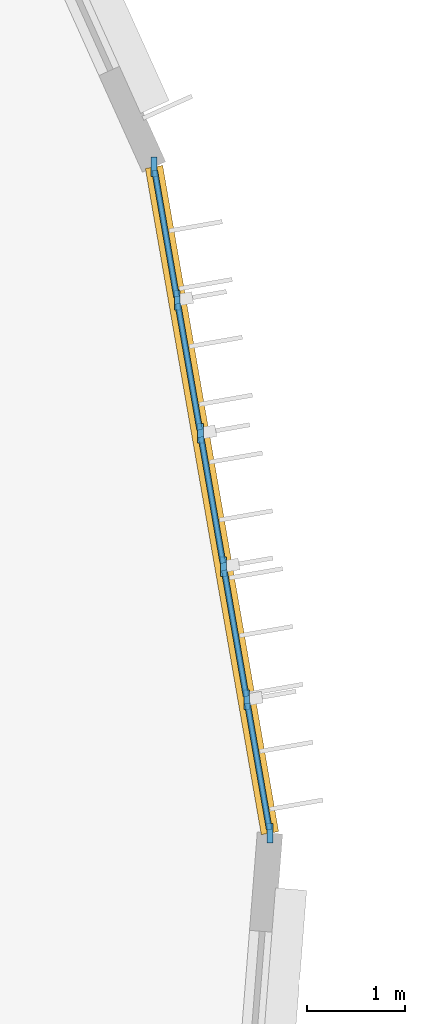
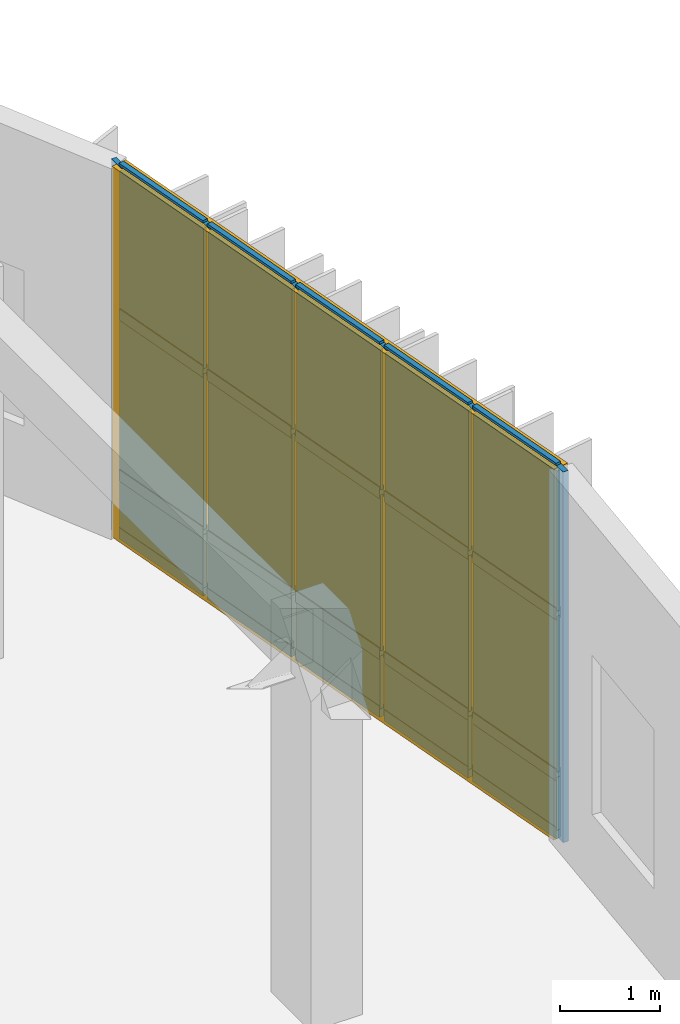
# One storey, part 101 of 122: 26 members, 15 plates, 1 curtain wall.
"""IFC4 building model written with IfcOpenShell, lengths in metres."""

from ifc_helpers import new_model, si_unit, direction, frame, frame_2d, origin, origin_2d, place, context, subcontext, project, spatial, rectangle, extrude, material, layer, layer_set, material_profile, profile_set, type_object, element, aggregate, save


model = new_model("IFC4")

# Units and contexts
model_context = context("Model", 3, precision=1e-05, world=origin(), true_north=direction((0.0, 1.0)))
body_context = subcontext(model_context, "Body", "Model", "MODEL_VIEW")
ifc_project = project(units=[si_unit("LENGTHUNIT", "METRE"), si_unit("AREAUNIT", "SQUARE_METRE"), si_unit("VOLUMEUNIT", "CUBIC_METRE"), si_unit("PLANEANGLEUNIT", "RADIAN"), si_unit("MASSUNIT", "GRAM", prefix="KILO")], contexts=[model_context])

# Member
ifc_material_1 = material(Name="Anodised Bronze Aluminium 6063-T6", Category="aluminium")
ifc_material_profile_1 = material_profile(ifc_material_1, rectangle(XDim=0.06005859375, YDim=0.199951171875, at=origin_2d()), Name="ALU MULLION 60x200")
ifc_profile_set_1 = profile_set([ifc_material_profile_1], Name="Anodised Bronze Aluminium 6063-T6")
member_type_1 = type_object("IfcMemberType", Name="Curtain-Wall Standard Mullion 60x200", PredefinedType="MULLION", material=ifc_profile_set_1)
site_placement = place(None, origin())
building_placement = place(site_placement, origin())
storey_placement = place(building_placement, origin())
member_1_placement = place(storey_placement, frame((162.56982421875, 45.8916015625, 0.0), z_axis=(0.0, 0.0, 1.0), x_axis=(1.0, 0.0, 0.0)))
member_1 = element("IfcMember", 1, at=member_1_placement, type_object=member_type_1, Name="Mullion CWM-03 CW-V4-DRUM-L00-S09-M01", PredefinedType="MULLION", context=body_context, shape_type="SweptSolid", body=[
    extrude(rectangle(XDim=0.06005859375, YDim=0.199951171875, at=origin_2d()), origin(), (0.0, 0.0, 1.0), 4.5400390625),
])

member_2_placement = place(storey_placement, frame((162.332763671875, 47.25341796875, 0.0), z_axis=(0.0, 0.0, 1.0), x_axis=(1.0, 0.0, 0.0)))
member_2 = element("IfcMember", 2, at=member_2_placement, type_object=member_type_1, Name="Mullion CWM-03 CW-V4-DRUM-L00-S09-M02", PredefinedType="MULLION", context=body_context, shape_type="SweptSolid", body=[
    extrude(rectangle(XDim=0.06005859375, YDim=0.199951171875, at=origin_2d()), origin(), (0.0, 0.0, 1.0), 4.5400390625),
])

member_3_placement = place(storey_placement, frame((162.095703125, 48.614990234375, 0.0), z_axis=(0.0, 0.0, 1.0), x_axis=(1.0, 0.0, 0.0)))
member_3 = element("IfcMember", 3, at=member_3_placement, type_object=member_type_1, Name="Mullion CWM-03 CW-V4-DRUM-L00-S09-M03", PredefinedType="MULLION", context=body_context, shape_type="SweptSolid", body=[
    extrude(rectangle(XDim=0.06005859375, YDim=0.199951171875, at=origin_2d()), origin(), (0.0, 0.0, 1.0), 4.5400390625),
])

member_4_placement = place(storey_placement, frame((161.858642578125, 49.9765625, 0.0), z_axis=(0.0, 0.0, 1.0), x_axis=(1.0, 0.0, 0.0)))
member_4 = element("IfcMember", 4, at=member_4_placement, type_object=member_type_1, Name="Mullion CWM-03 CW-V4-DRUM-L00-S09-M04", PredefinedType="MULLION", context=body_context, shape_type="SweptSolid", body=[
    extrude(rectangle(XDim=0.06005859375, YDim=0.199951171875, at=origin_2d()), origin(), (0.0, 0.0, 1.0), 4.5400390625),
])

member_5_placement = place(storey_placement, frame((161.62158203125, 51.338134765625, 0.0), z_axis=(0.0, 0.0, 1.0), x_axis=(1.0, 0.0, 0.0)))
member_5 = element("IfcMember", 5, at=member_5_placement, type_object=member_type_1, Name="Mullion CWM-03 CW-V4-DRUM-L00-S09-M05", PredefinedType="MULLION", context=body_context, shape_type="SweptSolid", body=[
    extrude(rectangle(XDim=0.06005859375, YDim=0.199951171875, at=origin_2d()), origin(), (0.0, 0.0, 1.0), 4.5400390625),
])

member_6_placement = place(storey_placement, frame((161.384765625, 52.69970703125, 0.0), z_axis=(0.0, 0.0, 1.0), x_axis=(1.0, 0.0, 0.0)))
member_6 = element("IfcMember", 6, at=member_6_placement, type_object=member_type_1, Name="Mullion CWM-03 CW-V4-DRUM-L00-S09-M06", PredefinedType="MULLION", context=body_context, shape_type="SweptSolid", body=[
    extrude(rectangle(XDim=0.06005859375, YDim=0.199951171875, at=origin_2d()), origin(), (0.0, 0.0, 1.0), 4.5400390625),
])

ifc_material_profile_2 = material_profile(ifc_material_1, rectangle(XDim=0.06005859375, YDim=0.139892578125, at=origin_2d()), Name="ALU TRANSOM 60x140")
ifc_profile_set_2 = profile_set([ifc_material_profile_2], Name="Anodised Bronze Aluminium 6063-T6")
member_type_2 = type_object("IfcMemberType", Name="Curtain-Wall Transom 60x140", PredefinedType="USERDEFINED", material=ifc_profile_set_2)
member_7_placement = place(storey_placement, frame((162.563720703125, 45.92626953125, 0.0400390625), z_axis=(-0.171396150189, 0.985202192294, 0.0), x_axis=(-0.985202192294, -0.171396150189, 0.0)))
member_7 = element("IfcMember", 7, at=member_7_placement, type_object=member_type_2, Name="Transom CWT-01 CW-V4-DRUM-L00-S09-T01.1", ObjectType="TRANSOM", PredefinedType="USERDEFINED", context=body_context, shape_type="SweptSolid", body=[
    extrude(rectangle(XDim=0.06005859375, YDim=0.139892578125, at=origin_2d()), origin(), (0.0, 0.0, 1.0), 1.31201171875),
])

member_8_placement = place(storey_placement, frame((162.563720703125, 45.92626953125, 0.75), z_axis=(-0.171396150189, 0.985202192294, 0.0), x_axis=(-0.985202192294, -0.171396150189, 0.0)))
member_8 = element("IfcMember", 8, at=member_8_placement, type_object=member_type_2, Name="Transom CWT-01 CW-V4-DRUM-L00-S09-T01.2", ObjectType="TRANSOM", PredefinedType="USERDEFINED", context=body_context, shape_type="SweptSolid", body=[
    extrude(rectangle(XDim=0.06005859375, YDim=0.139892578125, at=origin_2d()), origin(), (0.0, 0.0, 1.0), 1.31201171875),
])

member_9_placement = place(storey_placement, frame((162.563720703125, 45.92626953125, 2.720703125), z_axis=(-0.171396150189, 0.985202192294, 0.0), x_axis=(-0.985202192294, -0.171396150189, 0.0)))
member_9 = element("IfcMember", 9, at=member_9_placement, type_object=member_type_2, Name="Transom CWT-01 CW-V4-DRUM-L00-S09-T01.3", ObjectType="TRANSOM", PredefinedType="USERDEFINED", context=body_context, shape_type="SweptSolid", body=[
    extrude(rectangle(XDim=0.06005859375, YDim=0.139892578125, at=origin_2d()), origin(), (0.0, 0.0, 1.0), 1.31201171875),
])

member_10_placement = place(storey_placement, frame((162.563720703125, 45.92626953125, 4.5), z_axis=(-0.171396150189, 0.985202192294, 0.0), x_axis=(-0.985202192294, -0.171396150189, 0.0)))
member_10 = element("IfcMember", 10, at=member_10_placement, type_object=member_type_2, Name="Transom CWT-01 CW-V4-DRUM-L00-S09-T01.4", ObjectType="TRANSOM", PredefinedType="USERDEFINED", context=body_context, shape_type="SweptSolid", body=[
    extrude(rectangle(XDim=0.06005859375, YDim=0.139892578125, at=origin_2d()), origin(), (0.0, 0.0, 1.0), 1.31201171875),
])

member_11_placement = place(storey_placement, frame((162.326904296875, 47.287841796875, 0.0400390625), z_axis=(-0.171576772497, 0.985170752276, 0.0), x_axis=(-0.985170752276, -0.171576772497, 0.0)))
member_11 = element("IfcMember", 11, at=member_11_placement, type_object=member_type_2, Name="Transom CWT-01 CW-V4-DRUM-L00-S09-T02.1", ObjectType="TRANSOM", PredefinedType="USERDEFINED", context=body_context, shape_type="SweptSolid", body=[
    extrude(rectangle(XDim=0.06005859375, YDim=0.139892578125, at=origin_2d()), origin(), (0.0, 0.0, 1.0), 1.31201171875),
])

member_12_placement = place(storey_placement, frame((162.326904296875, 47.287841796875, 0.75), z_axis=(-0.171576772497, 0.985170752276, 0.0), x_axis=(-0.985170752276, -0.171576772497, 0.0)))
member_12 = element("IfcMember", 12, at=member_12_placement, type_object=member_type_2, Name="Transom CWT-01 CW-V4-DRUM-L00-S09-T02.2", ObjectType="TRANSOM", PredefinedType="USERDEFINED", context=body_context, shape_type="SweptSolid", body=[
    extrude(rectangle(XDim=0.06005859375, YDim=0.139892578125, at=origin_2d()), origin(), (0.0, 0.0, 1.0), 1.31201171875),
])

member_13_placement = place(storey_placement, frame((162.326904296875, 47.287841796875, 2.720703125), z_axis=(-0.171576772497, 0.985170752276, 0.0), x_axis=(-0.985170752276, -0.171576772497, 0.0)))
member_13 = element("IfcMember", 13, at=member_13_placement, type_object=member_type_2, Name="Transom CWT-01 CW-V4-DRUM-L00-S09-T02.3", ObjectType="TRANSOM", PredefinedType="USERDEFINED", context=body_context, shape_type="SweptSolid", body=[
    extrude(rectangle(XDim=0.06005859375, YDim=0.139892578125, at=origin_2d()), origin(), (0.0, 0.0, 1.0), 1.31201171875),
])

member_14_placement = place(storey_placement, frame((162.326904296875, 47.287841796875, 4.5), z_axis=(-0.171576772497, 0.985170752276, 0.0), x_axis=(-0.985170752276, -0.171576772497, 0.0)))
member_14 = element("IfcMember", 14, at=member_14_placement, type_object=member_type_2, Name="Transom CWT-01 CW-V4-DRUM-L00-S09-T02.4", ObjectType="TRANSOM", PredefinedType="USERDEFINED", context=body_context, shape_type="SweptSolid", body=[
    extrude(rectangle(XDim=0.06005859375, YDim=0.139892578125, at=origin_2d()), origin(), (0.0, 0.0, 1.0), 1.31201171875),
])

member_15_placement = place(storey_placement, frame((162.08984375, 48.6494140625, 0.0400390625), z_axis=(-0.171576772497, 0.985170752276, 0.0), x_axis=(-0.985170752276, -0.171576772497, 0.0)))
member_15 = element("IfcMember", 15, at=member_15_placement, type_object=member_type_2, Name="Transom CWT-01 CW-V4-DRUM-L00-S09-T03.1", ObjectType="TRANSOM", PredefinedType="USERDEFINED", context=body_context, shape_type="SweptSolid", body=[
    extrude(rectangle(XDim=0.06005859375, YDim=0.139892578125, at=origin_2d()), origin(), (0.0, 0.0, 1.0), 1.31201171875),
])

member_16_placement = place(storey_placement, frame((162.08984375, 48.6494140625, 0.75), z_axis=(-0.171576772497, 0.985170752276, 0.0), x_axis=(-0.985170752276, -0.171576772497, 0.0)))
member_16 = element("IfcMember", 16, at=member_16_placement, type_object=member_type_2, Name="Transom CWT-01 CW-V4-DRUM-L00-S09-T03.2", ObjectType="TRANSOM", PredefinedType="USERDEFINED", context=body_context, shape_type="SweptSolid", body=[
    extrude(rectangle(XDim=0.06005859375, YDim=0.139892578125, at=origin_2d()), origin(), (0.0, 0.0, 1.0), 1.31201171875),
])

member_17_placement = place(storey_placement, frame((162.08984375, 48.6494140625, 2.720703125), z_axis=(-0.171576772497, 0.985170752276, 0.0), x_axis=(-0.985170752276, -0.171576772497, 0.0)))
member_17 = element("IfcMember", 17, at=member_17_placement, type_object=member_type_2, Name="Transom CWT-01 CW-V4-DRUM-L00-S09-T03.3", ObjectType="TRANSOM", PredefinedType="USERDEFINED", context=body_context, shape_type="SweptSolid", body=[
    extrude(rectangle(XDim=0.06005859375, YDim=0.139892578125, at=origin_2d()), origin(), (0.0, 0.0, 1.0), 1.31201171875),
])

member_18_placement = place(storey_placement, frame((162.08984375, 48.6494140625, 4.5), z_axis=(-0.171576772497, 0.985170752276, 0.0), x_axis=(-0.985170752276, -0.171576772497, 0.0)))
member_18 = element("IfcMember", 18, at=member_18_placement, type_object=member_type_2, Name="Transom CWT-01 CW-V4-DRUM-L00-S09-T03.4", ObjectType="TRANSOM", PredefinedType="USERDEFINED", context=body_context, shape_type="SweptSolid", body=[
    extrude(rectangle(XDim=0.06005859375, YDim=0.139892578125, at=origin_2d()), origin(), (0.0, 0.0, 1.0), 1.31201171875),
])

member_19_placement = place(storey_placement, frame((161.852783203125, 50.010986328125, 0.0400390625), z_axis=(-0.171545322604, 0.985176229054, 0.0), x_axis=(-0.985176229054, -0.171545322604, 0.0)))
member_19 = element("IfcMember", 19, at=member_19_placement, type_object=member_type_2, Name="Transom CWT-01 CW-V4-DRUM-L00-S09-T04.1", ObjectType="TRANSOM", PredefinedType="USERDEFINED", context=body_context, shape_type="SweptSolid", body=[
    extrude(rectangle(XDim=0.06005859375, YDim=0.139892578125, at=origin_2d()), origin(), (0.0, 0.0, 1.0), 1.312255859375),
])

member_20_placement = place(storey_placement, frame((161.852783203125, 50.010986328125, 0.75), z_axis=(-0.171545322604, 0.985176229054, 0.0), x_axis=(-0.985176229054, -0.171545322604, 0.0)))
member_20 = element("IfcMember", 20, at=member_20_placement, type_object=member_type_2, Name="Transom CWT-01 CW-V4-DRUM-L00-S09-T04.2", ObjectType="TRANSOM", PredefinedType="USERDEFINED", context=body_context, shape_type="SweptSolid", body=[
    extrude(rectangle(XDim=0.06005859375, YDim=0.139892578125, at=origin_2d()), origin(), (0.0, 0.0, 1.0), 1.312255859375),
])

member_21_placement = place(storey_placement, frame((161.852783203125, 50.010986328125, 2.720703125), z_axis=(-0.171545322604, 0.985176229054, 0.0), x_axis=(-0.985176229054, -0.171545322604, 0.0)))
member_21 = element("IfcMember", 21, at=member_21_placement, type_object=member_type_2, Name="Transom CWT-01 CW-V4-DRUM-L00-S09-T04.3", ObjectType="TRANSOM", PredefinedType="USERDEFINED", context=body_context, shape_type="SweptSolid", body=[
    extrude(rectangle(XDim=0.06005859375, YDim=0.139892578125, at=origin_2d()), origin(), (0.0, 0.0, 1.0), 1.312255859375),
])

member_22_placement = place(storey_placement, frame((161.852783203125, 50.010986328125, 4.5), z_axis=(-0.171545322604, 0.985176229054, 0.0), x_axis=(-0.985176229054, -0.171545322604, 0.0)))
member_22 = element("IfcMember", 22, at=member_22_placement, type_object=member_type_2, Name="Transom CWT-01 CW-V4-DRUM-L00-S09-T04.4", ObjectType="TRANSOM", PredefinedType="USERDEFINED", context=body_context, shape_type="SweptSolid", body=[
    extrude(rectangle(XDim=0.06005859375, YDim=0.139892578125, at=origin_2d()), origin(), (0.0, 0.0, 1.0), 1.312255859375),
])

member_23_placement = place(storey_placement, frame((161.61572265625, 51.37255859375, 0.0400390625), z_axis=(-0.171545322604, 0.985176229054, 0.0), x_axis=(-0.985176229054, -0.171545322604, 0.0)))
member_23 = element("IfcMember", 23, at=member_23_placement, type_object=member_type_2, Name="Transom CWT-01 CW-V4-DRUM-L00-S09-T05.1", ObjectType="TRANSOM", PredefinedType="USERDEFINED", context=body_context, shape_type="SweptSolid", body=[
    extrude(rectangle(XDim=0.06005859375, YDim=0.139892578125, at=origin_2d()), origin(), (0.0, 0.0, 1.0), 1.312255859375),
])

member_24_placement = place(storey_placement, frame((161.61572265625, 51.37255859375, 0.75), z_axis=(-0.171545322604, 0.985176229054, 0.0), x_axis=(-0.985176229054, -0.171545322604, 0.0)))
member_24 = element("IfcMember", 24, at=member_24_placement, type_object=member_type_2, Name="Transom CWT-01 CW-V4-DRUM-L00-S09-T05.2", ObjectType="TRANSOM", PredefinedType="USERDEFINED", context=body_context, shape_type="SweptSolid", body=[
    extrude(rectangle(XDim=0.06005859375, YDim=0.139892578125, at=origin_2d()), origin(), (0.0, 0.0, 1.0), 1.312255859375),
])

member_25_placement = place(storey_placement, frame((161.61572265625, 51.37255859375, 2.720703125), z_axis=(-0.171545322604, 0.985176229054, 0.0), x_axis=(-0.985176229054, -0.171545322604, 0.0)))
member_25 = element("IfcMember", 25, at=member_25_placement, type_object=member_type_2, Name="Transom CWT-01 CW-V4-DRUM-L00-S09-T05.3", ObjectType="TRANSOM", PredefinedType="USERDEFINED", context=body_context, shape_type="SweptSolid", body=[
    extrude(rectangle(XDim=0.06005859375, YDim=0.139892578125, at=origin_2d()), origin(), (0.0, 0.0, 1.0), 1.312255859375),
])

member_26_placement = place(storey_placement, frame((161.61572265625, 51.37255859375, 4.5), z_axis=(-0.171545322604, 0.985176229054, 0.0), x_axis=(-0.985176229054, -0.171545322604, 0.0)))
member_26 = element("IfcMember", 26, at=member_26_placement, type_object=member_type_2, Name="Transom CWT-01 CW-V4-DRUM-L00-S09-T05.4", ObjectType="TRANSOM", PredefinedType="USERDEFINED", context=body_context, shape_type="SweptSolid", body=[
    extrude(rectangle(XDim=0.06005859375, YDim=0.139892578125, at=origin_2d()), origin(), (0.0, 0.0, 1.0), 1.312255859375),
])

# Plate
ifc_material_2 = material(Name="Insulated Bronze Aluminium Spandrel Panel", Category="aluminium")
ifc_layer_1 = layer(ifc_material_2, 0.050048828125, Name="Insulated Bronze Aluminium Spandrel Panel")
ifc_layer_set_1 = layer_set([ifc_layer_1], Name="Insulated Bronze Aluminium Spandrel Panel")
plate_type_1 = type_object("IfcPlateType", Name="Insulated Anodised Aluminium Spandrel Cassette 50", PredefinedType="CURTAIN_PANEL", material=ifc_layer_set_1)
plate_1_placement = place(storey_placement, frame((162.451416015625, 46.572509765625, 0.070068359375), z_axis=(0.0, 0.0, 1.0), x_axis=(-0.171495809953, 0.985184849238, 0.0)))
plate_1 = element("IfcPlate", 27, at=plate_1_placement, type_object=plate_type_1, Name="Curtain Panel CWP-03 CW-V4-DRUM-L00-S09-P01.1", PredefinedType="CURTAIN_PANEL", context=body_context, shape_type="SweptSolid", body=[
    extrude(rectangle(XDim=1.31201171875, YDim=0.050048828125, at=origin_2d()), origin(), (0.0, 0.0, 1.0), 0.64990234375),
])

plate_2_placement = place(storey_placement, frame((162.21435546875, 47.93408203125, 0.070068359375), z_axis=(0.0, 0.0, 1.0), x_axis=(-0.171495809953, 0.985184849238, 0.0)))
plate_2 = element("IfcPlate", 28, at=plate_2_placement, type_object=plate_type_1, Name="Curtain Panel CWP-03 CW-V4-DRUM-L00-S09-P02.1", PredefinedType="CURTAIN_PANEL", context=body_context, shape_type="SweptSolid", body=[
    extrude(rectangle(XDim=1.31201171875, YDim=0.050048828125, at=origin_2d()), origin(), (0.0, 0.0, 1.0), 0.64990234375),
])

plate_3_placement = place(storey_placement, frame((161.977294921875, 49.295654296875, 0.070068359375), z_axis=(0.0, 0.0, 1.0), x_axis=(-0.171495809953, 0.985184849238, 0.0)))
plate_3 = element("IfcPlate", 29, at=plate_3_placement, type_object=plate_type_1, Name="Curtain Panel CWP-03 CW-V4-DRUM-L00-S09-P03.1", PredefinedType="CURTAIN_PANEL", context=body_context, shape_type="SweptSolid", body=[
    extrude(rectangle(XDim=1.31201171875, YDim=0.050048828125, at=origin_2d()), origin(), (0.0, 0.0, 1.0), 0.64990234375),
])

plate_4_placement = place(storey_placement, frame((161.740234375, 50.6572265625, 0.070068359375), z_axis=(0.0, 0.0, 1.0), x_axis=(-0.171495809953, 0.985184849238, 0.0)))
plate_4 = element("IfcPlate", 30, at=plate_4_placement, type_object=plate_type_1, Name="Curtain Panel CWP-03 CW-V4-DRUM-L00-S09-P04.1", PredefinedType="CURTAIN_PANEL", context=body_context, shape_type="SweptSolid", body=[
    extrude(rectangle(XDim=1.31201171875, YDim=0.050048828125, at=origin_2d()), origin(), (0.0, 0.0, 1.0), 0.64990234375),
])

plate_5_placement = place(storey_placement, frame((161.503173828125, 52.018798828125, 0.070068359375), z_axis=(0.0, 0.0, 1.0), x_axis=(-0.171495809953, 0.985184849238, 0.0)))
plate_5 = element("IfcPlate", 31, at=plate_5_placement, type_object=plate_type_1, Name="Curtain Panel CWP-03 CW-V4-DRUM-L00-S09-P05.1", PredefinedType="CURTAIN_PANEL", context=body_context, shape_type="SweptSolid", body=[
    extrude(rectangle(XDim=1.31201171875, YDim=0.050048828125, at=origin_2d()), origin(), (0.0, 0.0, 1.0), 0.64990234375),
])

ifc_material_3 = material(Name="Solar-Control Tempered Double Glazing", Category="glass")
ifc_layer_2 = layer(ifc_material_3, 0.0380859375, Name="Solar-Control Tempered Double Glazing")
ifc_layer_set_2 = layer_set([ifc_layer_2], Name="Solar-Control Tempered Double Glazing")
plate_type_2 = type_object("IfcPlateType", Name="Solar-Control Vision Glazing Unit 38", PredefinedType="CURTAIN_PANEL", material=ifc_layer_set_2)
plate_6_placement = place(storey_placement, frame((162.451416015625, 46.572509765625, 0.77978515625), z_axis=(0.0, 0.0, 1.0), x_axis=(-0.171495809953, 0.985184849238, 0.0)))
plate_6 = element("IfcPlate", 32, at=plate_6_placement, type_object=plate_type_2, Name="Curtain Panel CWP-02 CW-V4-DRUM-L00-S09-P01.2", PredefinedType="CURTAIN_PANEL", context=body_context, shape_type="SweptSolid", body=[
    extrude(rectangle(XDim=1.31201171875, YDim=0.0380859375, at=origin_2d()), origin(), (0.0, 0.0, 1.0), 1.910888671875),
])

plate_7_placement = place(storey_placement, frame((162.451416015625, 46.572509765625, 2.750732421875), z_axis=(0.0, 0.0, 1.0), x_axis=(-0.171495809953, 0.985184849238, 0.0)))
plate_7 = element("IfcPlate", 33, at=plate_7_placement, type_object=plate_type_2, Name="Curtain Panel CWP-02 CW-V4-DRUM-L00-S09-P01.3", PredefinedType="CURTAIN_PANEL", context=body_context, shape_type="SweptSolid", body=[
    extrude(rectangle(XDim=1.31201171875, YDim=0.0380859375, at=origin_2d()), origin(), (0.0, 0.0, 1.0), 1.71923828125),
])

plate_8_placement = place(storey_placement, frame((162.21435546875, 47.93408203125, 0.77978515625), z_axis=(0.0, 0.0, 1.0), x_axis=(-0.171495809953, 0.985184849238, 0.0)))
plate_8 = element("IfcPlate", 34, at=plate_8_placement, type_object=plate_type_2, Name="Curtain Panel CWP-02 CW-V4-DRUM-L00-S09-P02.2", PredefinedType="CURTAIN_PANEL", context=body_context, shape_type="SweptSolid", body=[
    extrude(rectangle(XDim=1.31201171875, YDim=0.0380859375, at=origin_2d()), origin(), (0.0, 0.0, 1.0), 1.910888671875),
])

plate_9_placement = place(storey_placement, frame((162.21435546875, 47.93408203125, 2.750732421875), z_axis=(0.0, 0.0, 1.0), x_axis=(-0.171495809953, 0.985184849238, 0.0)))
plate_9 = element("IfcPlate", 35, at=plate_9_placement, type_object=plate_type_2, Name="Curtain Panel CWP-02 CW-V4-DRUM-L00-S09-P02.3", PredefinedType="CURTAIN_PANEL", context=body_context, shape_type="SweptSolid", body=[
    extrude(rectangle(XDim=1.31201171875, YDim=0.0380859375, at=origin_2d()), origin(), (0.0, 0.0, 1.0), 1.71923828125),
])

plate_10_placement = place(storey_placement, frame((161.977294921875, 49.295654296875, 0.77978515625), z_axis=(0.0, 0.0, 1.0), x_axis=(-0.171495809953, 0.985184849238, 0.0)))
plate_10 = element("IfcPlate", 36, at=plate_10_placement, type_object=plate_type_2, Name="Curtain Panel CWP-02 CW-V4-DRUM-L00-S09-P03.2", PredefinedType="CURTAIN_PANEL", context=body_context, shape_type="SweptSolid", body=[
    extrude(rectangle(XDim=1.31201171875, YDim=0.0380859375, at=origin_2d()), origin(), (0.0, 0.0, 1.0), 1.910888671875),
])

plate_11_placement = place(storey_placement, frame((161.977294921875, 49.295654296875, 2.750732421875), z_axis=(0.0, 0.0, 1.0), x_axis=(-0.171495809953, 0.985184849238, 0.0)))
plate_11 = element("IfcPlate", 37, at=plate_11_placement, type_object=plate_type_2, Name="Curtain Panel CWP-02 CW-V4-DRUM-L00-S09-P03.3", PredefinedType="CURTAIN_PANEL", context=body_context, shape_type="SweptSolid", body=[
    extrude(rectangle(XDim=1.31201171875, YDim=0.0380859375, at=origin_2d()), origin(), (0.0, 0.0, 1.0), 1.71923828125),
])

plate_12_placement = place(storey_placement, frame((161.740234375, 50.6572265625, 0.77978515625), z_axis=(0.0, 0.0, 1.0), x_axis=(-0.171495809953, 0.985184849238, 0.0)))
plate_12 = element("IfcPlate", 38, at=plate_12_placement, type_object=plate_type_2, Name="Curtain Panel CWP-02 CW-V4-DRUM-L00-S09-P04.2", PredefinedType="CURTAIN_PANEL", context=body_context, shape_type="SweptSolid", body=[
    extrude(rectangle(XDim=1.31201171875, YDim=0.0380859375, at=origin_2d()), origin(), (0.0, 0.0, 1.0), 1.910888671875),
])

plate_13_placement = place(storey_placement, frame((161.740234375, 50.6572265625, 2.750732421875), z_axis=(0.0, 0.0, 1.0), x_axis=(-0.171495809953, 0.985184849238, 0.0)))
plate_13 = element("IfcPlate", 39, at=plate_13_placement, type_object=plate_type_2, Name="Curtain Panel CWP-02 CW-V4-DRUM-L00-S09-P04.3", PredefinedType="CURTAIN_PANEL", context=body_context, shape_type="SweptSolid", body=[
    extrude(rectangle(XDim=1.31201171875, YDim=0.0380859375, at=origin_2d()), origin(), (0.0, 0.0, 1.0), 1.71923828125),
])

plate_14_placement = place(storey_placement, frame((161.503173828125, 52.018798828125, 0.77978515625), z_axis=(0.0, 0.0, 1.0), x_axis=(-0.171495809953, 0.985184849238, 0.0)))
plate_14 = element("IfcPlate", 40, at=plate_14_placement, type_object=plate_type_2, Name="Curtain Panel CWP-02 CW-V4-DRUM-L00-S09-P05.2", PredefinedType="CURTAIN_PANEL", context=body_context, shape_type="SweptSolid", body=[
    extrude(rectangle(XDim=1.31201171875, YDim=0.0380859375, at=origin_2d()), origin(), (0.0, 0.0, 1.0), 1.910888671875),
])

plate_15_placement = place(storey_placement, frame((161.503173828125, 52.018798828125, 2.750732421875), z_axis=(0.0, 0.0, 1.0), x_axis=(-0.171495809953, 0.985184849238, 0.0)))
plate_15 = element("IfcPlate", 41, at=plate_15_placement, type_object=plate_type_2, Name="Curtain Panel CWP-02 CW-V4-DRUM-L00-S09-P05.3", PredefinedType="CURTAIN_PANEL", context=body_context, shape_type="SweptSolid", body=[
    extrude(rectangle(XDim=1.31201171875, YDim=0.0380859375, at=origin_2d()), origin(), (0.0, 0.0, 1.0), 1.71923828125),
])

# Site, building, storey
site = spatial("IfcSite", under=ifc_project, at=site_placement, CompositionType="ELEMENT")
building = spatial("IfcBuilding", under=site, at=building_placement, Name="Tazoul Stagehouse", CompositionType="ELEMENT")
storey = spatial("IfcBuildingStorey", under=building, at=storey_placement, Name="L00", CompositionType="ELEMENT", Elevation=0.0)

# Curtain wall
curtain_wall_type = type_object("IfcCurtainWallType", Name="Studio Drum Faceted Curtain Wall", PredefinedType="NOTDEFINED", material=ifc_material_1)
curtain_wall_placement = place(storey_placement, frame((162.56982421875, 45.8916015625, 0.0), z_axis=(0.0, 0.0, 1.0), x_axis=(-0.171487286105, 0.985186332987, 0.0)))
curtain_wall = element("IfcCurtainWall", 42, at=curtain_wall_placement, inside=storey, type_object=curtain_wall_type, Name="L00 Curtain Wall CW-03 (CW-V4-DRUM-L00-S09)", PredefinedType="NOTDEFINED", context=body_context, shape_type="SweptSolid", body=[
    extrude(rectangle(XDim=6.910400390625, YDim=0.179931640625, at=frame_2d((3.455078125, 0.0))), origin(), (0.0, 0.0, 1.0), 4.5400390625),
])

aggregate(curtain_wall, [member_1, member_2, member_3, member_4, member_5, member_6, member_7, member_8, member_9, member_10, plate_1, plate_6, plate_7, member_11, member_12, member_13, member_14, plate_2, plate_8, plate_9, member_15, member_16, member_17, member_18, plate_3, plate_10, plate_11, member_19, member_20, member_21, member_22, plate_4, plate_12, plate_13, member_23, member_24, member_25, member_26, plate_5, plate_14, plate_15])

save(model, "model.ifc")
